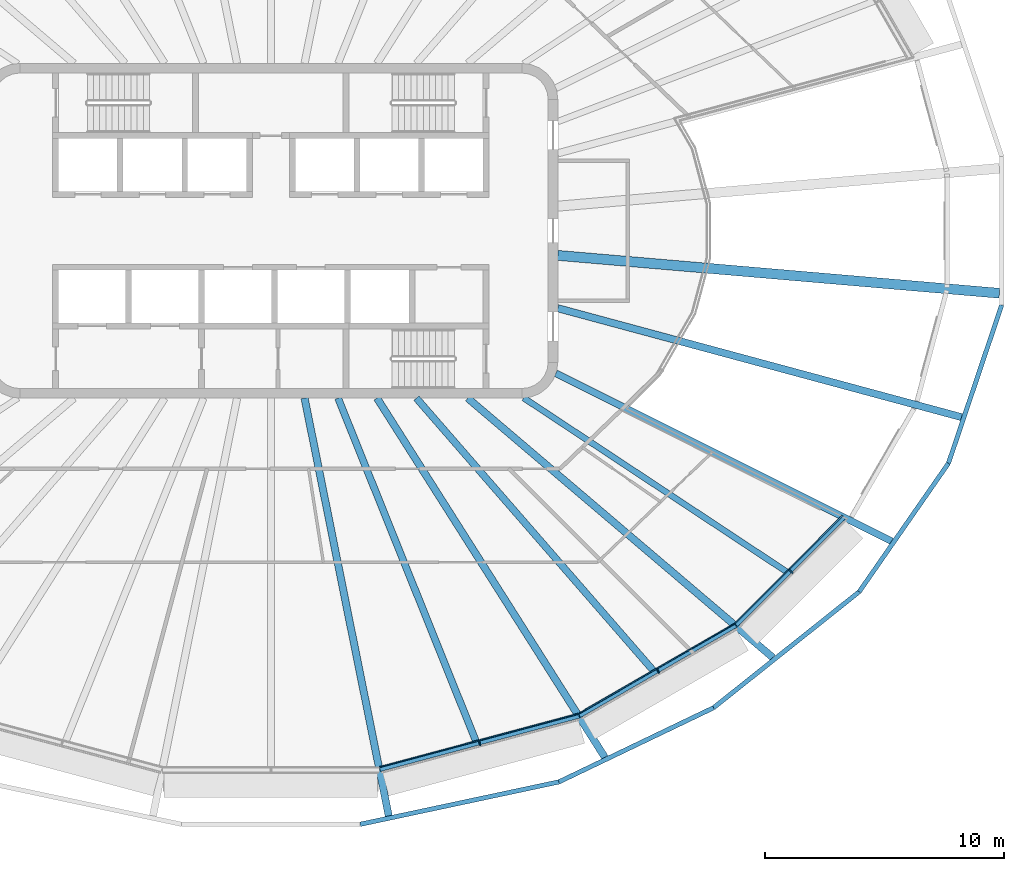
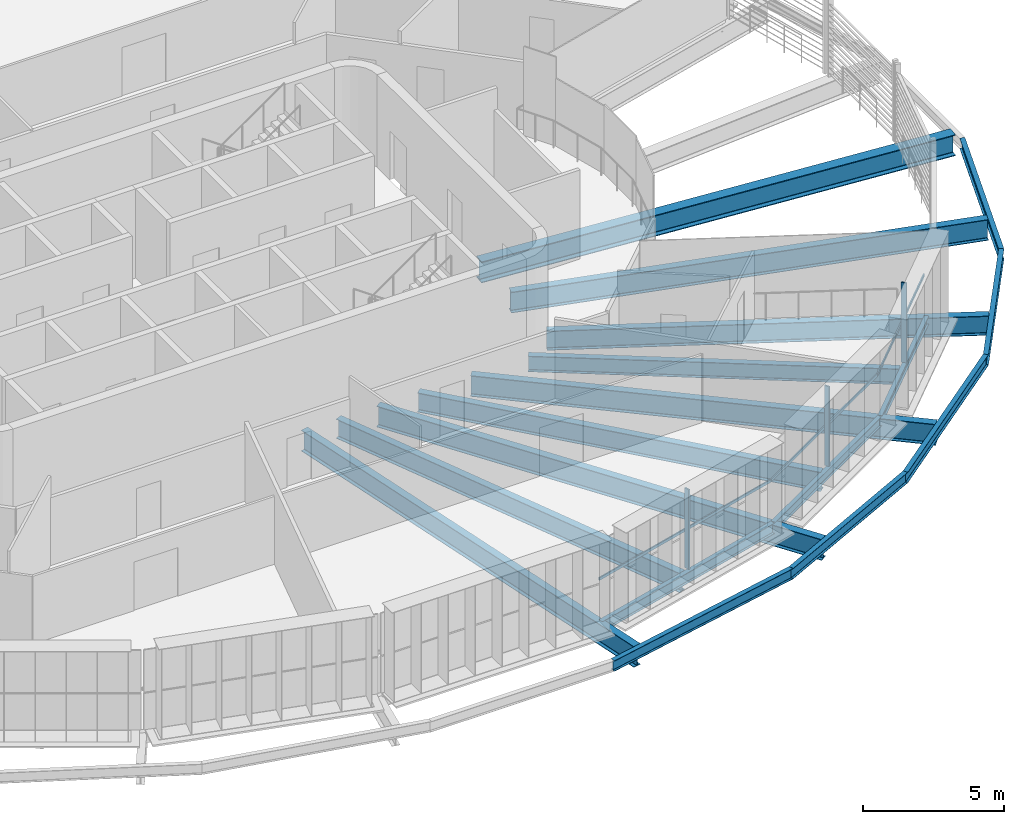
# One storey, part 3 of 17: 17 beams, 6 members, 3 elements without a shape of their own.
"""IFC4 building model written with IfcOpenShell, lengths in metres."""

from ifc_helpers import new_model, si_unit, direction, frame, origin, origin_2d, place, context, subcontext, project, spatial, rectangle, i_section, extrude, material, layer, layer_set, material_profile, profile_set, type_object, element, aggregate, save


model = new_model("IFC4")

# Units and contexts
model_context = context("Model", 3, precision=1e-05, world=origin(), true_north=direction((0.0, 1.0)))
body_context = subcontext(model_context, "Body", "Model", "MODEL_VIEW")
ifc_project = project(units=[si_unit("LENGTHUNIT", "METRE"), si_unit("AREAUNIT", "SQUARE_METRE"), si_unit("VOLUMEUNIT", "CUBIC_METRE"), si_unit("PLANEANGLEUNIT", "RADIAN"), si_unit("MASSUNIT", "GRAM", prefix="KILO")], contexts=[model_context])

# Site, building, storey
site_placement = place(None, origin())
site = spatial("IfcSite", under=ifc_project, at=site_placement, CompositionType="ELEMENT")
building_placement = place(site_placement, origin())
building = spatial("IfcBuilding", under=site, at=building_placement, Name="Sahrelin Media Tower", CompositionType="ELEMENT")
storey_placement = place(building_placement, frame((0.0, 0.0, 291.0)))
storey = spatial("IfcBuildingStorey", under=building, at=storey_placement, Name="L64", CompositionType="ELEMENT", Elevation=291.0)

# Beams
ifc_material_1 = material(Name="Steel S355", Category="steel")
ifc_material_profile_1 = material_profile(ifc_material_1, i_section(OverallWidth=0.17138671875, OverallDepth=0.35498046875, WebThickness=0.00732421875, FlangeThickness=0.011474609375, FilletRadius=0.01025390625, at=origin_2d()), Name="UB 356x171x51")
ifc_profile_set_1 = profile_set([ifc_material_profile_1], Name="Steel S355")
beam_type_1 = type_object("IfcBeamType", Name="Edge beam EB3", PredefinedType="BEAM", material=ifc_profile_set_1)
beam_1_placement = place(storey_placement, frame((23.9794921875, -11.97705078125, -0.327392578125), z_axis=(-0.707106781187, -0.707106781187, 0.0), x_axis=(0.707106781187, -0.707106781187, 0.0)))
element("IfcBeam", 1, at=beam_1_placement, inside=storey, type_object=beam_type_1, Name="Edge beam L64-01", PredefinedType="BEAM", context=body_context, shape_type="SweptSolid", body=[
    extrude(i_section(OverallWidth=0.17138671875, OverallDepth=0.35498046875, WebThickness=0.00732421875, FlangeThickness=0.011474609375, FilletRadius=0.01025390625, at=origin_2d()), origin(), (0.0, 0.0, 1.0), 6.381103515625),
])
ifc_material_profile_2 = material_profile(ifc_material_1, i_section(OverallWidth=0.177978515625, OverallDepth=0.406494140625, WebThickness=0.0078125, FlangeThickness=0.0126953125, FilletRadius=0.01025390625, at=origin_2d()), Name="UB 406x178x60")
ifc_profile_set_2 = profile_set([ifc_material_profile_2], Name="Steel S355")
beam_type_2 = type_object("IfcBeamType", Name="Edge beam EB4", PredefinedType="BEAM", material=ifc_profile_set_2)
beam_2_placement = place(storey_placement, frame((19.4443359375, -16.5068359375, -0.353271484375), z_axis=(-0.866031418311, -0.499989582389, 0.0), x_axis=(0.499989582389, -0.866031418311, 0.0)))
element("IfcBeam", 2, at=beam_2_placement, inside=storey, type_object=beam_type_2, Name="Edge beam L64-02", PredefinedType="BEAM", context=body_context, shape_type="SweptSolid", body=[
    extrude(i_section(OverallWidth=0.177978515625, OverallDepth=0.406494140625, WebThickness=0.0078125, FlangeThickness=0.0126953125, FilletRadius=0.01025390625, at=origin_2d()), origin(), (0.0, 0.0, 1.0), 7.542236328125),
])
ifc_material_profile_3 = material_profile(ifc_material_1, i_section(OverallWidth=0.1904296875, OverallDepth=0.45703125, WebThickness=0.009033203125, FlangeThickness=0.014404296875, FilletRadius=0.01025390625, at=origin_2d()), Name="UB 457x191x74")
ifc_profile_set_3 = profile_set([ifc_material_profile_3], Name="Steel S355")
beam_type_3 = type_object("IfcBeamType", Name="Edge beam EB5", PredefinedType="BEAM", material=ifc_profile_set_3)
beam_3_placement = place(storey_placement, frame((12.885986328125, -20.288818359375, -0.37841796875), z_axis=(-0.965926676494, -0.258815872073, 0.0), x_axis=(0.258815872073, -0.965926676494, 0.0)))
element("IfcBeam", 3, at=beam_3_placement, inside=storey, type_object=beam_type_3, Name="Edge beam L64-03", PredefinedType="BEAM", context=body_context, shape_type="SweptSolid", body=[
    extrude(i_section(OverallWidth=0.1904296875, OverallDepth=0.45703125, WebThickness=0.009033203125, FlangeThickness=0.014404296875, FilletRadius=0.01025390625, at=origin_2d()), origin(), (0.0, 0.0, 1.0), 8.615966796875),
])

# Curtain wall, member
ifc_material_2 = material(Name="Champagne anodised aluminium 6063-T6", Category="aluminium")
ifc_layer = layer(ifc_material_2, 0.14990234375)
ifc_layer_set = layer_set([ifc_layer], Name="Tower ribbon curtain wall")
curtain_wall_type = type_object("IfcCurtainWallType", Name="Tower ribbon curtain wall", PredefinedType="NOTDEFINED", material=ifc_layer_set)
curtain_wall_1_placement = place(storey_placement, frame((8.763427734375, -21.548828125, 0.0), z_axis=(0.0, 0.0, 1.0), x_axis=(1.0, 0.0, 0.0)))
curtain_wall_1 = element("IfcCurtainWall", 4, at=curtain_wall_1_placement, inside=storey, type_object=curtain_wall_type, Name="L64:CW:L64-19", PredefinedType="NOTDEFINED")
ifc_material_profile_4 = material_profile(ifc_material_2, rectangle(XDim=0.06005859375, YDim=0.199951171875, at=origin_2d()), Name="Mullion 60x200")
ifc_profile_set_4 = profile_set([ifc_material_profile_4], Name="Champagne anodised aluminium 6063-T6")
member_type_1 = type_object("IfcMemberType", Name="Mullion 60x200 CW1C", PredefinedType="MULLION", material=ifc_profile_set_4)
member_1_placement = place(storey_placement, frame((8.732421875, -21.432861328125, 0.0), z_axis=(0.0, 0.0, 1.0), x_axis=(0.965925826289, 0.258819045103, 0.0)))
member_1 = element("IfcMember", 5, at=member_1_placement, type_object=member_type_1, Name="L64:CWM:L64-19", PredefinedType="MULLION", context=body_context, shape_type="SweptSolid", body=[
    extrude(rectangle(XDim=0.06005859375, YDim=0.199951171875, at=origin_2d()), origin(), (0.0, 0.0, 1.0), 3.448486328125),
])

curtain_wall_2_placement = place(storey_placement, frame((16.25341796875, -18.522216796875, 0.0), z_axis=(0.0, 0.0, 1.0), x_axis=(1.0, 0.0, 0.0)))
curtain_wall_2 = element("IfcCurtainWall", 6, at=curtain_wall_2_placement, inside=storey, type_object=curtain_wall_type, Name="L64:CW:L64-20", PredefinedType="NOTDEFINED")
member_2_placement = place(storey_placement, frame((16.193603515625, -18.418212890625, 0.0), z_axis=(0.0, 0.0, 1.0), x_axis=(0.866026276448, 0.4999984885, 0.0)))
member_2 = element("IfcMember", 7, at=member_2_placement, type_object=member_type_1, Name="L64:CWM:L64-20", PredefinedType="MULLION", context=body_context, shape_type="SweptSolid", body=[
    extrude(rectangle(XDim=0.06005859375, YDim=0.199951171875, at=origin_2d()), origin(), (0.0, 0.0, 1.0), 3.448486328125),
])

curtain_wall_3_placement = place(storey_placement, frame((21.829345703125, -14.339111328125, 0.0), z_axis=(0.0, 0.0, 1.0), x_axis=(1.0, 0.0, 0.0)))
curtain_wall_3 = element("IfcCurtainWall", 8, at=curtain_wall_3_placement, inside=storey, type_object=curtain_wall_type, Name="L64:CW:L64-21", PredefinedType="NOTDEFINED")
member_3_placement = place(storey_placement, frame((21.744384765625, -14.25439453125, 0.0), z_axis=(0.0, 0.0, 1.0), x_axis=(0.707106781187, 0.707106781187, 0.0)))
member_3 = element("IfcMember", 9, at=member_3_placement, type_object=member_type_1, Name="L64:CWM:L64-21", PredefinedType="MULLION", context=body_context, shape_type="SweptSolid", body=[
    extrude(rectangle(XDim=0.06005859375, YDim=0.199951171875, at=origin_2d()), origin(), (0.0, 0.0, 1.0), 3.448486328125),
])

# Beams
ifc_material_profile_5 = material_profile(ifc_material_1, i_section(OverallWidth=0.291748046875, OverallDepth=0.8349609375, WebThickness=0.013916015625, FlangeThickness=0.018798828125, FilletRadius=0.017822265625, at=origin_2d()), Name="UB 838x292x176")
ifc_profile_set_5 = profile_set([ifc_material_profile_5], Name="Steel S355")
beam_type_4 = type_object("IfcBeamType", Name="Radial primary beam PB10", PredefinedType="BEAM", material=ifc_profile_set_5)
beam_4_placement = place(storey_placement, frame((11.918701171875, -5.961181640625, -0.5673828125), z_axis=(0.894364961322, -0.447338033214, 0.0), x_axis=(0.447338033214, 0.894364961322, 0.0)))
element("IfcBeam", 10, at=beam_4_placement, inside=storey, type_object=beam_type_4, Name="Radial beam L64-22", PredefinedType="BEAM", context=body_context, shape_type="SweptSolid", body=[
    extrude(i_section(OverallWidth=0.291748046875, OverallDepth=0.8349609375, WebThickness=0.013916015625, FlangeThickness=0.018798828125, FilletRadius=0.017822265625, at=origin_2d()), origin(), (0.0, 0.0, 1.0), 15.695068359375),
])
ifc_material_profile_6 = material_profile(ifc_material_1, i_section(OverallWidth=0.30322265625, OverallDepth=0.903076171875, WebThickness=0.01513671875, FlangeThickness=0.020263671875, FilletRadius=0.01904296875, at=origin_2d()), Name="UB 914x305x201")
ifc_profile_set_6 = profile_set([ifc_material_profile_6], Name="Steel S355")
beam_type_5 = type_object("IfcBeamType", Name="Radial primary beam PB11", PredefinedType="BEAM", material=ifc_profile_set_6)
beam_5_placement = place(storey_placement, frame((1.41064453125, -7.0, -0.6015625), z_axis=(0.197562488047, -0.980290295431, 0.0), x_axis=(0.980290295431, 0.197562488047, 0.0)))
element("IfcBeam", 11, at=beam_5_placement, inside=storey, type_object=beam_type_5, Name="Radial beam L64-19", PredefinedType="BEAM", context=body_context, shape_type="SweptSolid", body=[
    extrude(i_section(OverallWidth=0.30322265625, OverallDepth=0.903076171875, WebThickness=0.01513671875, FlangeThickness=0.020263671875, FilletRadius=0.01904296875, at=origin_2d()), origin(), (0.0, 0.0, 1.0), 17.818603515625),
])
beam_6_placement = place(storey_placement, frame((4.44091796875, -7.0, -0.6015625), z_axis=(0.535704376598, -0.844405602121, 0.0), x_axis=(0.844405602121, 0.535704376598, 0.0)))
element("IfcBeam", 12, at=beam_6_placement, inside=storey, type_object=beam_type_5, Name="Radial beam L64-20", PredefinedType="BEAM", context=body_context, shape_type="SweptSolid", body=[
    extrude(i_section(OverallWidth=0.30322265625, OverallDepth=0.903076171875, WebThickness=0.01513671875, FlangeThickness=0.020263671875, FilletRadius=0.01904296875, at=origin_2d()), origin(), (0.0, 0.0, 1.0), 17.78662109375),
])
beam_7_placement = place(storey_placement, frame((8.23388671875, -7.0, -0.6015625), z_axis=(0.761882487724, -0.647715273017, 0.0), x_axis=(0.647715273017, 0.761882487724, 0.0)))
element("IfcBeam", 13, at=beam_7_placement, inside=storey, type_object=beam_type_5, Name="Radial beam L64-21", PredefinedType="BEAM", context=body_context, shape_type="SweptSolid", body=[
    extrude(i_section(OverallWidth=0.30322265625, OverallDepth=0.903076171875, WebThickness=0.01513671875, FlangeThickness=0.020263671875, FilletRadius=0.01904296875, at=origin_2d()), origin(), (0.0, 0.0, 1.0), 16.748291015625),
])
beam_8_placement = place(storey_placement, frame((12.0, -3.238037109375, -0.6015625), z_axis=(0.965467470527, -0.260523633005, 0.0), x_axis=(0.260523633005, 0.965467470527, 0.0)))
element("IfcBeam", 14, at=beam_8_placement, inside=storey, type_object=beam_type_5, Name="Radial beam L64-23", PredefinedType="BEAM", context=body_context, shape_type="SweptSolid", body=[
    extrude(i_section(OverallWidth=0.30322265625, OverallDepth=0.903076171875, WebThickness=0.01513671875, FlangeThickness=0.020263671875, FilletRadius=0.01904296875, at=origin_2d()), origin(), (0.0, 0.0, 1.0), 17.488525390625),
])
ifc_material_profile_7 = material_profile(ifc_material_1, i_section(OverallWidth=0.41845703125, OverallDepth=0.911865234375, WebThickness=0.019287109375, FlangeThickness=0.031982421875, FilletRadius=0.024169921875, at=origin_2d()), Name="UB 914x419x343")
ifc_profile_set_7 = profile_set([ifc_material_profile_7], Name="Steel S355")
beam_type_6 = type_object("IfcBeamType", Name="Radial primary beam PB12", PredefinedType="BEAM", material=ifc_profile_set_7)
beam_9_placement = place(storey_placement, frame((12.0, -1.02880859375, -0.60595703125), z_axis=(0.996344535432, -0.085425796542, 0.0), x_axis=(0.085425796542, 0.996344535432, 0.0)))
element("IfcBeam", 15, at=beam_9_placement, inside=storey, type_object=beam_type_6, Name="Radial beam L64-24", PredefinedType="BEAM", context=body_context, shape_type="SweptSolid", body=[
    extrude(i_section(OverallWidth=0.41845703125, OverallDepth=0.911865234375, WebThickness=0.019287109375, FlangeThickness=0.031982421875, FilletRadius=0.024169921875, at=origin_2d()), origin(), (0.0, 0.0, 1.0), 18.53662109375),
])
ifc_material_profile_8 = material_profile(ifc_material_1, i_section(OverallWidth=0.291748046875, OverallDepth=0.8349609375, WebThickness=0.013916015625, FlangeThickness=0.018798828125, FilletRadius=0.017822265625, at=origin_2d()), Name="UB 838x292x176")
ifc_profile_set_8 = profile_set([ifc_material_profile_8], Name="Steel S355")
beam_type_7 = type_object("IfcBeamType", Name="Radial secondary beam SB10", PredefinedType="BEAM", material=ifc_profile_set_8)
beam_10_placement = place(storey_placement, frame((2.81298828125, -7.0, -0.5673828125), z_axis=(0.372868678366, -0.927884124605, 0.0), x_axis=(0.927884124605, 0.372868678366, 0.0)))
element("IfcBeam", 16, at=beam_10_placement, inside=storey, type_object=beam_type_7, Name="Secondary beam L64-18", PredefinedType="BEAM", context=body_context, shape_type="SweptSolid", body=[
    extrude(i_section(OverallWidth=0.291748046875, OverallDepth=0.8349609375, WebThickness=0.013916015625, FlangeThickness=0.018798828125, FilletRadius=0.017822265625, at=origin_2d()), origin(), (0.0, 0.0, 1.0), 15.459716796875),
])
beam_11_placement = place(storey_placement, frame((6.08740234375, -7.0, -0.5673828125), z_axis=(0.656204331857, -0.754583245806, 0.0), x_axis=(0.754583245806, 0.656204331857, 0.0)))
element("IfcBeam", 17, at=beam_11_placement, inside=storey, type_object=beam_type_7, Name="Secondary beam L64-19", PredefinedType="BEAM", context=body_context, shape_type="SweptSolid", body=[
    extrude(i_section(OverallWidth=0.291748046875, OverallDepth=0.8349609375, WebThickness=0.013916015625, FlangeThickness=0.018798828125, FilletRadius=0.017822265625, at=origin_2d()), origin(), (0.0, 0.0, 1.0), 15.100830078125),
])
ifc_material_profile_9 = material_profile(ifc_material_1, i_section(OverallWidth=0.2529296875, OverallDepth=0.677978515625, WebThickness=0.01171875, FlangeThickness=0.01611328125, FilletRadius=0.01513671875, at=origin_2d()), Name="UB 686x254x125")
ifc_profile_set_9 = profile_set([ifc_material_profile_9], Name="Steel S355")
beam_type_8 = type_object("IfcBeamType", Name="Radial secondary beam SB8", PredefinedType="BEAM", material=ifc_profile_set_9)
beam_12_placement = place(storey_placement, frame((10.572998046875, -6.990478515625, -0.489013671875), z_axis=(0.834171966274, -0.551504424899, 0.0), x_axis=(0.551504424899, 0.834171966274, 0.0)))
element("IfcBeam", 18, at=beam_12_placement, inside=storey, type_object=beam_type_8, Name="Secondary beam L64-20", PredefinedType="BEAM", context=body_context, shape_type="SweptSolid", body=[
    extrude(i_section(OverallWidth=0.2529296875, OverallDepth=0.677978515625, WebThickness=0.01171875, FlangeThickness=0.01611328125, FilletRadius=0.01513671875, at=origin_2d()), origin(), (0.0, 0.0, 1.0), 13.18603515625),
])
ifc_material_profile_10 = material_profile(ifc_material_1, i_section(OverallWidth=0.1904296875, OverallDepth=0.45703125, WebThickness=0.009033203125, FlangeThickness=0.014404296875, FilletRadius=0.01025390625, at=origin_2d()), Name="UB 457x191x74")
ifc_profile_set_10 = profile_set([ifc_material_profile_10], Name="Steel S355")
beam_type_9 = type_object("IfcBeamType", Name="Tie chord TC5", PredefinedType="BEAM", material=ifc_profile_set_10)
beam_13_placement = place(storey_placement, frame((3.7333984375, -24.8203125, -0.37841796875), z_axis=(0.977981898463, 0.208689736877, 0.0), x_axis=(-0.208689736877, 0.977981898463, 0.0)))
element("IfcBeam", 19, at=beam_13_placement, inside=storey, type_object=beam_type_9, Name="Tie chord L64-19", PredefinedType="BEAM", context=body_context, shape_type="SweptSolid", body=[
    extrude(i_section(OverallWidth=0.1904296875, OverallDepth=0.45703125, WebThickness=0.009033203125, FlangeThickness=0.014404296875, FilletRadius=0.01025390625, at=origin_2d()), origin(), (0.0, 0.0, 1.0), 8.502685546875),
])
beam_14_placement = place(storey_placement, frame((12.048828125, -23.0458984375, -0.37841796875), z_axis=(0.901632989359, 0.432501968202, 0.0), x_axis=(-0.432501968202, 0.901632989359, 0.0)))
element("IfcBeam", 20, at=beam_14_placement, inside=storey, type_object=beam_type_9, Name="Tie chord L64-20", PredefinedType="BEAM", context=body_context, shape_type="SweptSolid", body=[
    extrude(i_section(OverallWidth=0.1904296875, OverallDepth=0.45703125, WebThickness=0.009033203125, FlangeThickness=0.014404296875, FilletRadius=0.01025390625, at=origin_2d()), origin(), (0.0, 0.0, 1.0), 7.171875),
])
beam_15_placement = place(storey_placement, frame((18.51513671875, -19.944091796875, -0.37841796875), z_axis=(0.782262590975, 0.622948825154, 0.0), x_axis=(-0.622948825154, 0.782262590975, 0.0)))
element("IfcBeam", 21, at=beam_15_placement, inside=storey, type_object=beam_type_9, Name="Tie chord L64-21", PredefinedType="BEAM", context=body_context, shape_type="SweptSolid", body=[
    extrude(i_section(OverallWidth=0.1904296875, OverallDepth=0.45703125, WebThickness=0.009033203125, FlangeThickness=0.014404296875, FilletRadius=0.01025390625, at=origin_2d()), origin(), (0.0, 0.0, 1.0), 7.78173828125),
])
beam_16_placement = place(storey_placement, frame((24.6025390625, -15.096435546875, -0.37841796875), z_axis=(0.570606286012, 0.821223761446, 0.0), x_axis=(-0.821223761446, 0.570606286012, 0.0)))
element("IfcBeam", 22, at=beam_16_placement, inside=storey, type_object=beam_type_9, Name="Tie chord L64-22", PredefinedType="BEAM", context=body_context, shape_type="SweptSolid", body=[
    extrude(i_section(OverallWidth=0.1904296875, OverallDepth=0.45703125, WebThickness=0.009033203125, FlangeThickness=0.014404296875, FilletRadius=0.01025390625, at=origin_2d()), origin(), (0.0, 0.0, 1.0), 6.54248046875),
])
beam_17_placement = place(storey_placement, frame((28.335693359375, -9.7236328125, -0.37841796875), z_axis=(0.318941686003, 0.947774340721, 0.0), x_axis=(-0.947774340721, 0.318941686003, 0.0)))
element("IfcBeam", 23, at=beam_17_placement, inside=storey, type_object=beam_type_9, Name="Tie chord L64-23", PredefinedType="BEAM", context=body_context, shape_type="SweptSolid", body=[
    extrude(i_section(OverallWidth=0.1904296875, OverallDepth=0.45703125, WebThickness=0.009033203125, FlangeThickness=0.014404296875, FilletRadius=0.01025390625, at=origin_2d()), origin(), (0.0, 0.0, 1.0), 6.986572265625),
])

# Member
ifc_material_profile_11 = material_profile(ifc_material_2, rectangle(XDim=0.050048828125, YDim=0.1201171875, at=origin_2d()), Name="Transom 50x120")
ifc_profile_set_11 = profile_set([ifc_material_profile_11], Name="Champagne anodised aluminium 6063-T6")
member_type_2 = type_object("IfcMemberType", Name="Transom 50x120 CW1C", PredefinedType="USERDEFINED", material=ifc_profile_set_11)
member_4_placement = place(storey_placement, frame((4.553955078125, -22.423095703125, 1.60009765625), z_axis=(0.965925074938, 0.258821849168, 0.0), x_axis=(-0.258821849168, 0.965925074938, 0.0)))
member_4 = element("IfcMember", 24, at=member_4_placement, type_object=member_type_2, Name="L64:CWT:L64-19", ObjectType="TRANSOM", PredefinedType="USERDEFINED", context=body_context, shape_type="SweptSolid", body=[
    extrude(rectangle(XDim=0.050048828125, YDim=0.1201171875, at=origin_2d()), origin(), (0.0, 0.0, 1.0), 8.584716796875),
])

aggregate(curtain_wall_1, [member_1, member_4])

member_5_placement = place(storey_placement, frame((12.87890625, -20.187744140625, 1.60009765625), z_axis=(0.866022108301, 0.500005707901, 0.0), x_axis=(-0.500005707901, 0.866022108301, 0.0)))
member_5 = element("IfcMember", 25, at=member_5_placement, type_object=member_type_2, Name="L64:CWT:L64-20", ObjectType="TRANSOM", PredefinedType="USERDEFINED", context=body_context, shape_type="SweptSolid", body=[
    extrude(rectangle(XDim=0.050048828125, YDim=0.1201171875, at=origin_2d()), origin(), (0.0, 0.0, 1.0), 7.5107421875),
])

aggregate(curtain_wall_2, [member_2, member_5])

member_6_placement = place(storey_placement, frame((19.4111328125, -16.410888671875, 1.60009765625), z_axis=(0.707106781187, 0.707106781187, 0.0), x_axis=(-0.707106781187, 0.707106781187, 0.0)))
member_6 = element("IfcMember", 26, at=member_6_placement, type_object=member_type_2, Name="L64:CWT:L64-21", ObjectType="TRANSOM", PredefinedType="USERDEFINED", context=body_context, shape_type="SweptSolid", body=[
    extrude(rectangle(XDim=0.050048828125, YDim=0.1201171875, at=origin_2d()), origin(), (0.0, 0.0, 1.0), 6.349853515625),
])

aggregate(curtain_wall_3, [member_3, member_6])

save(model, "model.ifc")
